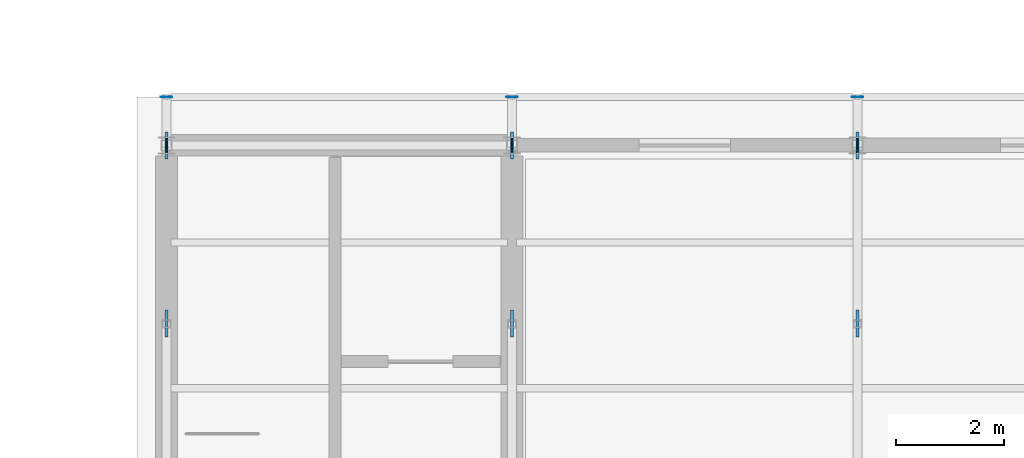
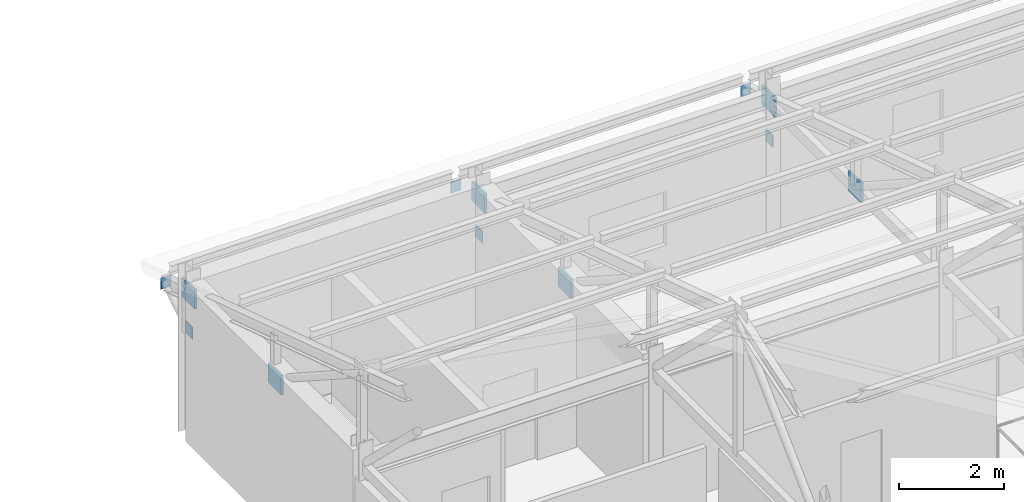
# One storey, part 41 of 57: 12 plates.
"""IFC4 building model written with IfcOpenShell, lengths in metres."""

from ifc_helpers import new_model, si_unit, direction, frame, origin, origin_2d, place, context, subcontext, project, spatial, rectangle, extrude, material, layer, layer_set, type_object, element, save


model = new_model("IFC4")

# Units and contexts
model_context = context("Model", 3, precision=1e-05, world=origin(), true_north=direction((0.0, 1.0)))
body_context = subcontext(model_context, "Body", "Model", "MODEL_VIEW")
ifc_project = project(units=[si_unit("LENGTHUNIT", "METRE"), si_unit("AREAUNIT", "SQUARE_METRE"), si_unit("VOLUMEUNIT", "CUBIC_METRE"), si_unit("PLANEANGLEUNIT", "RADIAN"), si_unit("MASSUNIT", "GRAM", prefix="KILO")], contexts=[model_context])

# Site, building, storey
site_placement = place(None, origin())
site = spatial("IfcSite", under=ifc_project, at=site_placement, CompositionType="ELEMENT")
building_placement = place(site_placement, origin())
building = spatial("IfcBuilding", under=site, at=building_placement, Name="Trelmorton Wharf Fire Station", CompositionType="ELEMENT")
storey_placement = place(building_placement, frame((0.0, 0.0, 13.5)))
storey = spatial("IfcBuildingStorey", under=building, at=storey_placement, Name="L03", CompositionType="ELEMENT", Elevation=13.5)

# Plates
ifc_material = material(Name="Steel Grade 350", Category="steel")
ifc_layer_1 = layer(ifc_material, 0.011962890625)
ifc_layer_set_1 = layer_set([ifc_layer_1], Name="Steel Grade 350")
plate_type_1 = type_object("IfcPlateType", Name="PL_ENDCAP_12", PredefinedType="SHEET", material=ifc_layer_set_1)
for number, where, z_axis, x_axis, name in (
    (1, (58.0, 28.5, 2.84521484375), (0.0, 0.0, 1.0), (1.0, 0.0, 0.0), "PL-EC-0047"),
    (2, (64.39990234375, 28.5, 2.84521484375), (0.0, 0.0, 1.0), (1.0, 0.0, 0.0), "PL-EC-0051"),
    (3, (70.800048828125, 28.5, 2.84521484375), (0.0, 0.0, 1.0), (1.0, 0.0, 0.0), "PL-EC-0055"),
):
    element("IfcPlate", number, at=place(storey_placement, frame(where, z_axis=z_axis, x_axis=x_axis)), inside=storey, type_object=plate_type_1, Name=name, PredefinedType="SHEET", context=body_context, shape_type="SweptSolid", body=[
        extrude(rectangle(XDim=0.219970703125, YDim=0.011962890625, at=origin_2d()), origin(), (0.0, 0.0, 1.0), 0.260009765625),
    ])
ifc_layer_2 = layer(ifc_material, 0.02001953125)
ifc_layer_set_2 = layer_set([ifc_layer_2], Name="Steel Grade 350")
plate_type_2 = type_object("IfcPlateType", Name="PL_ENDCAP_20", PredefinedType="SHEET", material=ifc_layer_set_2)
for number, where, z_axis, x_axis, name in (
    (4, (58.0, 27.60009765625, 2.259765625), (0.0, 0.0, 1.0), (1.0, 0.0, 0.0), "PL-EC-0048"),
    (5, (64.39990234375, 27.60009765625, 2.259765625), (0.0, 0.0, 1.0), (1.0, 0.0, 0.0), "PL-EC-0052"),
    (6, (70.800048828125, 27.60009765625, 2.259765625), (0.0, 0.0, 1.0), (1.0, 0.0, 0.0), "PL-EC-0056"),
):
    element("IfcPlate", number, at=place(storey_placement, frame(where, z_axis=z_axis, x_axis=x_axis)), inside=storey, type_object=plate_type_2, Name=name, PredefinedType="SHEET", context=body_context, shape_type="SweptSolid", body=[
        extrude(rectangle(XDim=0.02001953125, YDim=0.260009765625, at=origin_2d()), origin(), (0.0, 0.0, 1.0), 0.280029296875),
    ])
ifc_layer_3 = layer(ifc_material, 0.050048828125)
ifc_layer_set_3 = layer_set([ifc_layer_3], Name="Steel Grade 350")
plate_type_3 = type_object("IfcPlateType", Name="PL_GUSSET_TN2", PredefinedType="USERDEFINED", material=ifc_layer_set_3)
for number, where, z_axis, x_axis, name in (
    (7, (58.0, 27.60009765625, 3.041015625), (0.0, 0.0, 1.0), (1.0, 0.0, 0.0), "PL-TN-0249"),
    (8, (58.0, 24.300048828125, 3.041015625), (0.0, 0.0, 1.0), (1.0, 0.0, 0.0), "PL-TN-0254"),
    (9, (64.39990234375, 27.60009765625, 3.041015625), (0.0, 0.0, 1.0), (1.0, 0.0, 0.0), "PL-TN-0258"),
    (10, (64.39990234375, 24.300048828125, 3.041015625), (0.0, 0.0, 1.0), (1.0, 0.0, 0.0), "PL-TN-0263"),
    (11, (70.800048828125, 27.60009765625, 3.041015625), (0.0, 0.0, 1.0), (1.0, 0.0, 0.0), "PL-TN-0267"),
    (12, (70.800048828125, 24.300048828125, 3.041015625), (0.0, 0.0, 1.0), (1.0, 0.0, 0.0), "PL-TN-0272"),
):
    element("IfcPlate", number, at=place(storey_placement, frame(where, z_axis=z_axis, x_axis=x_axis)), inside=storey, type_object=plate_type_3, Name=name, ObjectType="GUSSET PLATE", PredefinedType="USERDEFINED", context=body_context, shape_type="SweptSolid", body=[
        extrude(rectangle(XDim=0.050048828125, YDim=0.5, at=origin_2d()), origin(), (0.0, 0.0, 1.0), 0.449951171875),
    ])

save(model, "model.ifc")
